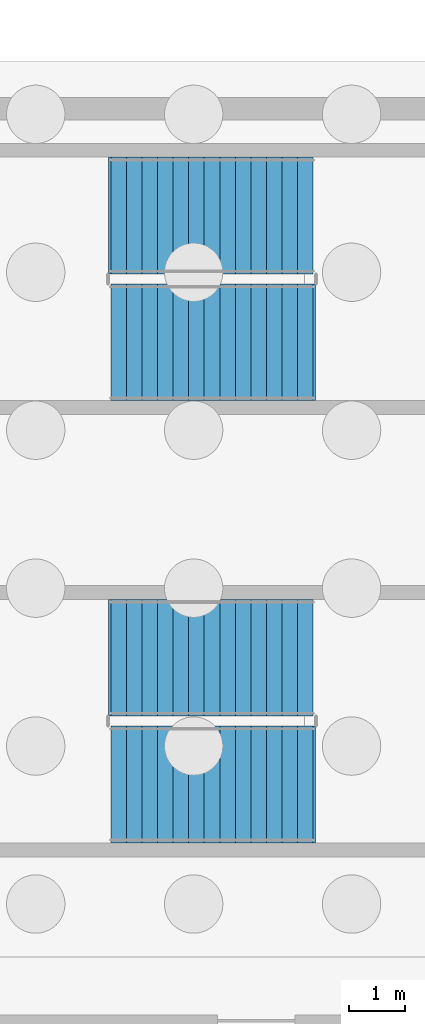
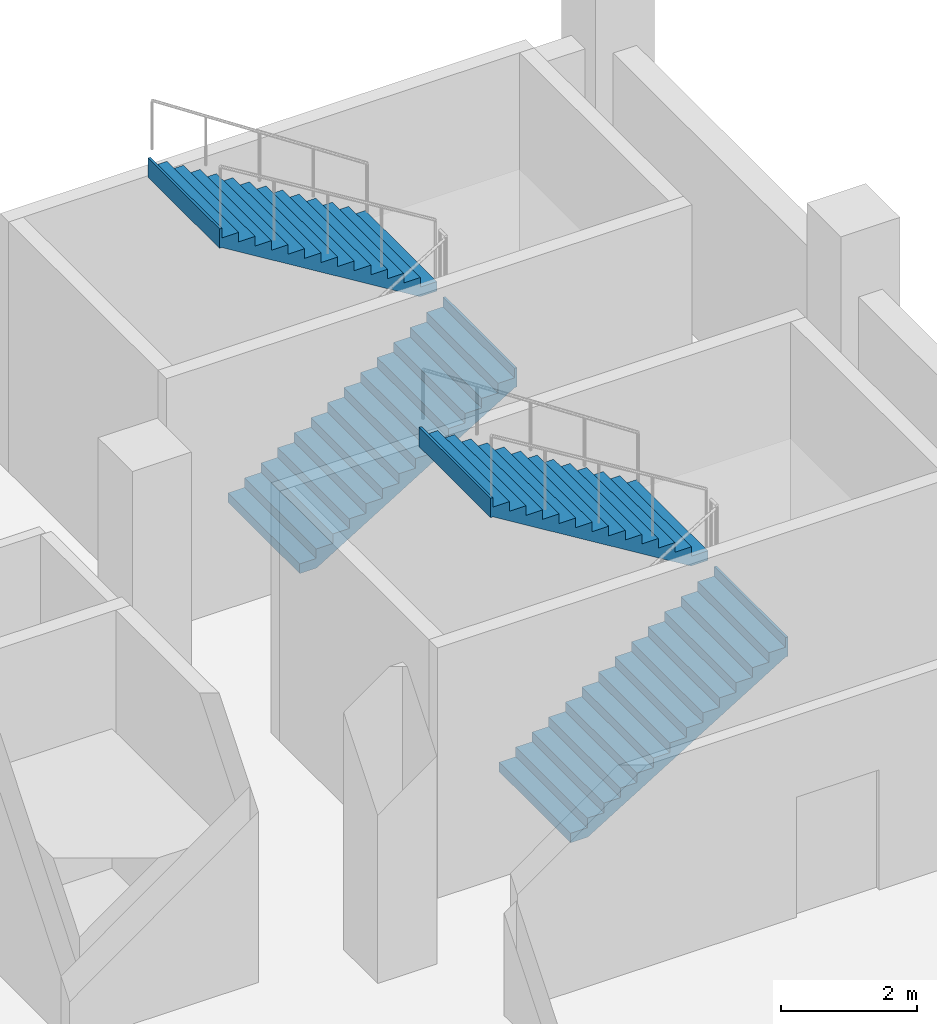
# One storey, part 7 of 10: 4 stair flights, 2 elements without a shape of their own.
"""IFC4 building model written with IfcOpenShell, lengths in metres."""

from ifc_helpers import new_model, si_unit, direction, frame, origin, place, context, subcontext, project, spatial, triangles, material, type_object, element, aggregate, save


model = new_model("IFC4")

# Units and contexts
model_context = context("Model", 3, precision=1e-05, world=origin(), true_north=direction((0.0, 1.0)))
body_context = subcontext(model_context, "Body", "Model", "MODEL_VIEW")
ifc_project = project(units=[si_unit("LENGTHUNIT", "METRE"), si_unit("AREAUNIT", "SQUARE_METRE"), si_unit("VOLUMEUNIT", "CUBIC_METRE"), si_unit("PLANEANGLEUNIT", "RADIAN"), si_unit("MASSUNIT", "GRAM", prefix="KILO")], contexts=[model_context])

# Site, building, storey
site_placement = place(None, origin())
site = spatial("IfcSite", under=ifc_project, at=site_placement, CompositionType="ELEMENT")
building_placement = place(site_placement, origin())
building = spatial("IfcBuilding", under=site, at=building_placement, Name="Cendralis Lancet Convention Centre", CompositionType="ELEMENT")
storey_placement = place(building_placement, frame((0.0, 0.0, -4.800048828125)))
storey = spatial("IfcBuildingStorey", under=building, at=storey_placement, Name="B1", CompositionType="ELEMENT", Elevation=-4.800048828125)

# Stair, stair flights
ifc_material = material(Name="Concrete G35 (C35/45)", Category="concrete")
stair_type = type_object("IfcStairType", Name="ARC-ST-CORE", PredefinedType="HALF_TURN_STAIR", material=ifc_material)
stair_1_placement = place(storey_placement, origin())
stair_1 = element("IfcStair", 1, at=stair_1_placement, inside=storey, type_object=stair_type, Name="B1 Protected Exit Stair ST-15", PredefinedType="HALF_TURN_STAIR")
stair_flight_type = type_object("IfcStairFlightType", Name="ARC-SF-CORE", PredefinedType="STRAIGHT", material=ifc_material)
stair_flight_1_placement = place(storey_placement, frame((200.550048828125, 23.85009765625, 0.0), z_axis=(0.0, 0.0, 1.0), x_axis=(1.0, 0.0, 0.0)))
stair_flight_1 = element("IfcStairFlight", 2, at=stair_flight_1_placement, type_object=stair_flight_type, Name="ST-15 flight 1", NumberOfRisers=14, NumberOfTreads=13, PredefinedType="STRAIGHT", RiserHeight=0.171428571, TreadLength=0.28, context=body_context, shape_type="Tessellation", body=[
    triangles([(0.0, 0.0, 0.085714), (0.0, 1.050049, 0.0), (0.0, -1.050049, 0.0), (0.0, -1.050049, 0.171429), (0.0, 1.050049, 0.171429), (0.14, 0.0, 0.171429), (0.28, -1.050049, 0.171429), (0.28, 1.050049, 0.171429), (0.14, 0.0, 0.0), (0.28, -1.050049, 0.0), (0.28, 1.050049, 0.0), (0.28, 0.0, 0.257143), (0.28, -1.050049, 0.342857), (0.28, 1.050049, 0.342857), (0.283543, 0.0, 0.342857), (0.287085, -1.050049, 0.342857), (0.287085, 1.050049, 0.342857), (0.283543, 0.0, 0.0), (0.287085, -1.050049, 0.0), (0.287085, 1.050049, 0.0), (0.423543, 0.0, 0.342857), (0.56, -1.050049, 0.342857), (0.56, 1.050049, 0.342857), (0.423543, 0.0, 0.083545), (0.56, -1.050049, 0.167091), (0.56, 1.050049, 0.167091), (0.56, 0.0, 0.428572), (0.56, -1.050049, 0.514286), (0.56, 1.050049, 0.514286), (0.7, 0.0, 0.514286), (0.84, -1.050049, 0.514286), (0.84, 1.050049, 0.514286), (0.7, 0.0, 0.252806), (0.84, -1.050049, 0.33852), (0.84, 1.050049, 0.33852), (0.84, 0.0, 0.6), (0.84, -1.050049, 0.685714), (0.84, 1.050049, 0.685714), (0.98, 0.0, 0.685714), (1.12, -1.050049, 0.685714), (1.12, 1.050049, 0.685714), (0.98, 0.0, 0.424234), (1.12, -1.050049, 0.509948), (1.12, 1.050049, 0.509948), (1.12, 0.0, 0.771429), (1.12, -1.050049, 0.857143), (1.12, 1.050049, 0.857143), (1.26, 0.0, 0.857143), (1.4, -1.050049, 0.857143), (1.4, 1.050049, 0.857143), (1.26, 0.0, 0.595662), (1.4, -1.050049, 0.681377), (1.4, 1.050049, 0.681377), (1.4, 0.0, 0.942857), (1.4, -1.050049, 1.028571), (1.4, 1.050049, 1.028571), (1.54, 0.0, 1.028571), (1.68, -1.050049, 1.028571), (1.68, 1.050049, 1.028571), (1.54, 0.0, 0.767091), (1.68, -1.050049, 0.852805), (1.68, 1.050049, 0.852805), (1.68, 0.0, 1.114286), (1.68, -1.050049, 1.2), (1.68, 1.050049, 1.2), (1.82, 0.0, 1.2), (1.96, -1.050049, 1.2), (1.96, 1.050049, 1.2), (1.82, 0.0, 0.938519), (1.96, -1.050049, 1.024234), (1.96, 1.050049, 1.024234), (1.96, 0.0, 1.285715), (1.96, -1.050049, 1.371429), (1.96, 1.050049, 1.371429), (2.1, 0.0, 1.371429), (2.24, -1.050049, 1.371429), (2.24, 1.050049, 1.371429), (2.1, 0.0, 1.109948), (2.24, -1.050049, 1.195662), (2.24, 1.050049, 1.195662), (2.24, 0.0, 1.457143), (2.24, -1.050049, 1.542857), (2.24, 1.050049, 1.542857), (2.38, 0.0, 1.542857), (2.52, -1.050049, 1.542857), (2.52, 1.050049, 1.542857), (2.38, 0.0, 1.281376), (2.52, -1.050049, 1.367091), (2.52, 1.050049, 1.367091), (2.52, 0.0, 1.628572), (2.52, -1.050049, 1.714286), (2.52, 1.050049, 1.714286), (2.66, 0.0, 1.714286), (2.8, -1.050049, 1.714286), (2.8, 1.050049, 1.714286), (2.66, 0.0, 1.452806), (2.8, -1.050049, 1.53852), (2.8, 1.050049, 1.53852), (2.8, 0.0, 1.8), (2.8, -1.050049, 1.885714), (2.8, 1.050049, 1.885714), (2.94, 0.0, 1.885714), (3.08, -1.050049, 1.885714), (3.08, 1.050049, 1.885714), (2.94, 0.0, 1.624234), (3.08, -1.050049, 1.709948), (3.08, 1.050049, 1.709948), (3.08, 0.0, 1.971429), (3.08, -1.050049, 2.057143), (3.08, 1.050049, 2.057143), (3.22, 0.0, 2.057143), (3.36, -1.050049, 2.057143), (3.36, 1.050049, 2.057143), (3.22, 0.0, 1.795663), (3.36, -1.050049, 1.881377), (3.36, 1.050049, 1.881377), (3.36, 0.0, 2.142857), (3.36, -1.050049, 2.228571), (3.36, 1.050049, 2.228571), (3.5, 0.0, 2.228571), (3.64, -1.050049, 2.228571), (3.64, 1.050049, 2.228571), (3.5, 0.0, 1.967091), (3.64, -1.050049, 2.052805), (3.64, 1.050049, 2.052805), (3.64, 0.0, 2.314285), (3.64, -1.050049, 2.4), (3.64, 1.050049, 2.4), (3.66, 0.0, 2.4), (3.68, -1.050049, 2.4), (3.68, 1.050049, 2.4), (3.66, 0.0, 2.052805), (3.68, -1.050049, 2.052805), (3.68, 1.050049, 2.052805), (3.68, 0.0, 2.226403)], [[2, 3, 1], [3, 4, 1], [4, 5, 1], [5, 2, 1], [4, 7, 6], [7, 8, 6], [8, 5, 6], [5, 4, 6], [10, 3, 9], [3, 2, 9], [2, 11, 9], [11, 10, 9], [3, 10, 7], [3, 7, 4], [2, 8, 11], [2, 5, 8], [8, 7, 12], [7, 13, 12], [13, 14, 12], [14, 8, 12], [13, 16, 15], [16, 17, 15], [17, 14, 15], [14, 13, 15], [19, 10, 18], [10, 11, 18], [11, 20, 18], [20, 19, 18], [10, 19, 16], [10, 16, 7], [7, 16, 13], [11, 17, 20], [11, 8, 17], [8, 14, 17], [16, 22, 21], [22, 23, 21], [23, 17, 21], [17, 16, 21], [25, 19, 24], [19, 20, 24], [20, 26, 24], [26, 25, 24], [19, 25, 22], [19, 22, 16], [20, 23, 26], [20, 17, 23], [23, 22, 27], [22, 28, 27], [28, 29, 27], [29, 23, 27], [28, 31, 30], [31, 32, 30], [32, 29, 30], [29, 28, 30], [34, 25, 33], [25, 26, 33], [26, 35, 33], [35, 34, 33], [25, 34, 31], [25, 31, 22], [22, 31, 28], [26, 32, 35], [26, 23, 32], [23, 29, 32], [32, 31, 36], [31, 37, 36], [37, 38, 36], [38, 32, 36], [37, 40, 39], [40, 41, 39], [41, 38, 39], [38, 37, 39], [43, 34, 42], [34, 35, 42], [35, 44, 42], [44, 43, 42], [34, 43, 40], [34, 40, 31], [31, 40, 37], [35, 41, 44], [35, 32, 41], [32, 38, 41], [41, 40, 45], [40, 46, 45], [46, 47, 45], [47, 41, 45], [46, 49, 48], [49, 50, 48], [50, 47, 48], [47, 46, 48], [52, 43, 51], [43, 44, 51], [44, 53, 51], [53, 52, 51], [43, 52, 49], [43, 49, 40], [40, 49, 46], [44, 50, 53], [44, 41, 50], [41, 47, 50], [50, 49, 54], [49, 55, 54], [55, 56, 54], [56, 50, 54], [55, 58, 57], [58, 59, 57], [59, 56, 57], [56, 55, 57], [61, 52, 60], [52, 53, 60], [53, 62, 60], [62, 61, 60], [52, 61, 58], [52, 58, 49], [49, 58, 55], [53, 59, 62], [53, 50, 59], [50, 56, 59], [59, 58, 63], [58, 64, 63], [64, 65, 63], [65, 59, 63], [64, 67, 66], [67, 68, 66], [68, 65, 66], [65, 64, 66], [70, 61, 69], [61, 62, 69], [62, 71, 69], [71, 70, 69], [61, 70, 67], [61, 67, 58], [58, 67, 64], [62, 68, 71], [62, 59, 68], [59, 65, 68], [68, 67, 72], [67, 73, 72], [73, 74, 72], [74, 68, 72], [73, 76, 75], [76, 77, 75], [77, 74, 75], [74, 73, 75], [79, 70, 78], [70, 71, 78], [71, 80, 78], [80, 79, 78], [70, 79, 76], [70, 76, 67], [67, 76, 73], [71, 77, 80], [71, 68, 77], [68, 74, 77], [77, 76, 81], [76, 82, 81], [82, 83, 81], [83, 77, 81], [82, 85, 84], [85, 86, 84], [86, 83, 84], [83, 82, 84], [88, 79, 87], [79, 80, 87], [80, 89, 87], [89, 88, 87], [79, 88, 85], [79, 85, 76], [76, 85, 82], [80, 86, 89], [80, 77, 86], [77, 83, 86], [86, 85, 90], [85, 91, 90], [91, 92, 90], [92, 86, 90], [91, 94, 93], [94, 95, 93], [95, 92, 93], [92, 91, 93], [97, 88, 96], [88, 89, 96], [89, 98, 96], [98, 97, 96], [88, 97, 94], [88, 94, 85], [85, 94, 91], [89, 95, 98], [89, 86, 95], [86, 92, 95], [95, 94, 99], [94, 100, 99], [100, 101, 99], [101, 95, 99], [100, 103, 102], [103, 104, 102], [104, 101, 102], [101, 100, 102], [106, 97, 105], [97, 98, 105], [98, 107, 105], [107, 106, 105], [97, 106, 103], [97, 103, 94], [94, 103, 100], [98, 104, 107], [98, 95, 104], [95, 101, 104], [104, 103, 108], [103, 109, 108], [109, 110, 108], [110, 104, 108], [109, 112, 111], [112, 113, 111], [113, 110, 111], [110, 109, 111], [115, 106, 114], [106, 107, 114], [107, 116, 114], [116, 115, 114], [106, 115, 112], [106, 112, 103], [103, 112, 109], [107, 113, 116], [107, 104, 113], [104, 110, 113], [113, 112, 117], [112, 118, 117], [118, 119, 117], [119, 113, 117], [118, 121, 120], [121, 122, 120], [122, 119, 120], [119, 118, 120], [124, 115, 123], [115, 116, 123], [116, 125, 123], [125, 124, 123], [115, 124, 121], [115, 121, 112], [112, 121, 118], [116, 122, 125], [116, 113, 122], [113, 119, 122], [122, 121, 126], [121, 127, 126], [127, 128, 126], [128, 122, 126], [127, 130, 129], [130, 131, 129], [131, 128, 129], [128, 127, 129], [133, 124, 132], [124, 125, 132], [125, 134, 132], [134, 133, 132], [124, 133, 130], [124, 130, 121], [121, 130, 127], [125, 131, 134], [125, 122, 131], [122, 128, 131], [133, 134, 135], [134, 131, 135], [131, 130, 135], [130, 133, 135]], closed=True),
])
stair_flight_2_placement = place(storey_placement, frame((204.18994140625, 26.1298828125, 2.400146484375), z_axis=(0.0, 0.0, 1.0), x_axis=(-1.0, 0.0, 0.0)))
stair_flight_2 = element("IfcStairFlight", 3, at=stair_flight_2_placement, type_object=stair_flight_type, Name="ST-15 flight 2", NumberOfRisers=14, NumberOfTreads=13, PredefinedType="STRAIGHT", RiserHeight=0.171428571, TreadLength=0.28, context=body_context, shape_type="Tessellation", body=[
    triangles([(0.0, 0.0, 0.085714), (0.0, 1.050049, 0.0), (0.0, -1.050049, 0.0), (0.0, -1.050049, 0.171429), (0.0, 1.050049, 0.171429), (0.14, 0.0, 0.171429), (0.28, -1.050049, 0.171429), (0.28, 1.050049, 0.171429), (0.14, 0.0, 0.0), (0.28, -1.050049, 0.0), (0.28, 1.050049, 0.0), (0.28, 0.0, 0.257143), (0.28, -1.050049, 0.342857), (0.28, 1.050049, 0.342857), (0.283543, 0.0, 0.342857), (0.287085, -1.050049, 0.342857), (0.287085, 1.050049, 0.342857), (0.283543, 0.0, 0.0), (0.287085, -1.050049, 0.0), (0.287085, 1.050049, 0.0), (0.423543, 0.0, 0.342857), (0.56, -1.050049, 0.342857), (0.56, 1.050049, 0.342857), (0.423543, 0.0, 0.083545), (0.56, -1.050049, 0.167091), (0.56, 1.050049, 0.167091), (0.56, 0.0, 0.428572), (0.56, -1.050049, 0.514286), (0.56, 1.050049, 0.514286), (0.7, 0.0, 0.514286), (0.84, -1.050049, 0.514286), (0.84, 1.050049, 0.514286), (0.7, 0.0, 0.252806), (0.84, -1.050049, 0.33852), (0.84, 1.050049, 0.33852), (0.84, 0.0, 0.6), (0.84, -1.050049, 0.685714), (0.84, 1.050049, 0.685714), (0.98, 0.0, 0.685714), (1.12, -1.050049, 0.685714), (1.12, 1.050049, 0.685714), (0.98, 0.0, 0.424234), (1.12, -1.050049, 0.509948), (1.12, 1.050049, 0.509948), (1.12, 0.0, 0.771429), (1.12, -1.050049, 0.857143), (1.12, 1.050049, 0.857143), (1.26, 0.0, 0.857143), (1.4, -1.050049, 0.857143), (1.4, 1.050049, 0.857143), (1.26, 0.0, 0.595662), (1.4, -1.050049, 0.681377), (1.4, 1.050049, 0.681377), (1.4, 0.0, 0.942857), (1.4, -1.050049, 1.028571), (1.4, 1.050049, 1.028571), (1.54, 0.0, 1.028571), (1.68, -1.050049, 1.028571), (1.68, 1.050049, 1.028571), (1.54, 0.0, 0.767091), (1.68, -1.050049, 0.852805), (1.68, 1.050049, 0.852805), (1.68, 0.0, 1.114286), (1.68, -1.050049, 1.2), (1.68, 1.050049, 1.2), (1.82, 0.0, 1.2), (1.96, -1.050049, 1.2), (1.96, 1.050049, 1.2), (1.82, 0.0, 0.938519), (1.96, -1.050049, 1.024234), (1.96, 1.050049, 1.024234), (1.96, 0.0, 1.285715), (1.96, -1.050049, 1.371429), (1.96, 1.050049, 1.371429), (2.1, 0.0, 1.371429), (2.24, -1.050049, 1.371429), (2.24, 1.050049, 1.371429), (2.1, 0.0, 1.109948), (2.24, -1.050049, 1.195662), (2.24, 1.050049, 1.195662), (2.24, 0.0, 1.457143), (2.24, -1.050049, 1.542857), (2.24, 1.050049, 1.542857), (2.38, 0.0, 1.542857), (2.52, -1.050049, 1.542857), (2.52, 1.050049, 1.542857), (2.38, 0.0, 1.281376), (2.52, -1.050049, 1.367091), (2.52, 1.050049, 1.367091), (2.52, 0.0, 1.628572), (2.52, -1.050049, 1.714286), (2.52, 1.050049, 1.714286), (2.66, 0.0, 1.714286), (2.8, -1.050049, 1.714286), (2.8, 1.050049, 1.714286), (2.66, 0.0, 1.452806), (2.8, -1.050049, 1.53852), (2.8, 1.050049, 1.53852), (2.8, 0.0, 1.8), (2.8, -1.050049, 1.885714), (2.8, 1.050049, 1.885714), (2.94, 0.0, 1.885714), (3.08, -1.050049, 1.885714), (3.08, 1.050049, 1.885714), (2.94, 0.0, 1.624234), (3.08, -1.050049, 1.709948), (3.08, 1.050049, 1.709948), (3.08, 0.0, 1.971429), (3.08, -1.050049, 2.057143), (3.08, 1.050049, 2.057143), (3.22, 0.0, 2.057143), (3.36, -1.050049, 2.057143), (3.36, 1.050049, 2.057143), (3.22, 0.0, 1.795663), (3.36, -1.050049, 1.881377), (3.36, 1.050049, 1.881377), (3.36, 0.0, 2.142857), (3.36, -1.050049, 2.228571), (3.36, 1.050049, 2.228571), (3.5, 0.0, 2.228571), (3.64, -1.050049, 2.228571), (3.64, 1.050049, 2.228571), (3.5, 0.0, 1.967091), (3.64, -1.050049, 2.052805), (3.64, 1.050049, 2.052805), (3.64, 0.0, 2.314285), (3.64, -1.050049, 2.4), (3.64, 1.050049, 2.4), (3.66, 0.0, 2.4), (3.68, -1.050049, 2.4), (3.68, 1.050049, 2.4), (3.66, 0.0, 2.052805), (3.68, -1.050049, 2.052805), (3.68, 1.050049, 2.052805), (3.68, 0.0, 2.226403)], [[2, 3, 1], [3, 4, 1], [4, 5, 1], [5, 2, 1], [4, 7, 6], [7, 8, 6], [8, 5, 6], [5, 4, 6], [10, 3, 9], [3, 2, 9], [2, 11, 9], [11, 10, 9], [3, 10, 7], [3, 7, 4], [2, 8, 11], [2, 5, 8], [8, 7, 12], [7, 13, 12], [13, 14, 12], [14, 8, 12], [13, 16, 15], [16, 17, 15], [17, 14, 15], [14, 13, 15], [19, 10, 18], [10, 11, 18], [11, 20, 18], [20, 19, 18], [10, 19, 16], [10, 16, 7], [7, 16, 13], [11, 17, 20], [11, 8, 17], [8, 14, 17], [16, 22, 21], [22, 23, 21], [23, 17, 21], [17, 16, 21], [25, 19, 24], [19, 20, 24], [20, 26, 24], [26, 25, 24], [19, 25, 22], [19, 22, 16], [20, 23, 26], [20, 17, 23], [23, 22, 27], [22, 28, 27], [28, 29, 27], [29, 23, 27], [28, 31, 30], [31, 32, 30], [32, 29, 30], [29, 28, 30], [34, 25, 33], [25, 26, 33], [26, 35, 33], [35, 34, 33], [25, 34, 31], [25, 31, 22], [22, 31, 28], [26, 32, 35], [26, 23, 32], [23, 29, 32], [32, 31, 36], [31, 37, 36], [37, 38, 36], [38, 32, 36], [37, 40, 39], [40, 41, 39], [41, 38, 39], [38, 37, 39], [43, 34, 42], [34, 35, 42], [35, 44, 42], [44, 43, 42], [34, 43, 40], [34, 40, 31], [31, 40, 37], [35, 41, 44], [35, 32, 41], [32, 38, 41], [41, 40, 45], [40, 46, 45], [46, 47, 45], [47, 41, 45], [46, 49, 48], [49, 50, 48], [50, 47, 48], [47, 46, 48], [52, 43, 51], [43, 44, 51], [44, 53, 51], [53, 52, 51], [43, 52, 49], [43, 49, 40], [40, 49, 46], [44, 50, 53], [44, 41, 50], [41, 47, 50], [50, 49, 54], [49, 55, 54], [55, 56, 54], [56, 50, 54], [55, 58, 57], [58, 59, 57], [59, 56, 57], [56, 55, 57], [61, 52, 60], [52, 53, 60], [53, 62, 60], [62, 61, 60], [52, 61, 58], [52, 58, 49], [49, 58, 55], [53, 59, 62], [53, 50, 59], [50, 56, 59], [59, 58, 63], [58, 64, 63], [64, 65, 63], [65, 59, 63], [64, 67, 66], [67, 68, 66], [68, 65, 66], [65, 64, 66], [70, 61, 69], [61, 62, 69], [62, 71, 69], [71, 70, 69], [61, 70, 67], [61, 67, 58], [58, 67, 64], [62, 68, 71], [62, 59, 68], [59, 65, 68], [68, 67, 72], [67, 73, 72], [73, 74, 72], [74, 68, 72], [73, 76, 75], [76, 77, 75], [77, 74, 75], [74, 73, 75], [79, 70, 78], [70, 71, 78], [71, 80, 78], [80, 79, 78], [70, 79, 76], [70, 76, 67], [67, 76, 73], [71, 77, 80], [71, 68, 77], [68, 74, 77], [77, 76, 81], [76, 82, 81], [82, 83, 81], [83, 77, 81], [82, 85, 84], [85, 86, 84], [86, 83, 84], [83, 82, 84], [88, 79, 87], [79, 80, 87], [80, 89, 87], [89, 88, 87], [79, 88, 85], [79, 85, 76], [76, 85, 82], [80, 86, 89], [80, 77, 86], [77, 83, 86], [86, 85, 90], [85, 91, 90], [91, 92, 90], [92, 86, 90], [91, 94, 93], [94, 95, 93], [95, 92, 93], [92, 91, 93], [97, 88, 96], [88, 89, 96], [89, 98, 96], [98, 97, 96], [88, 97, 94], [88, 94, 85], [85, 94, 91], [89, 95, 98], [89, 86, 95], [86, 92, 95], [95, 94, 99], [94, 100, 99], [100, 101, 99], [101, 95, 99], [100, 103, 102], [103, 104, 102], [104, 101, 102], [101, 100, 102], [106, 97, 105], [97, 98, 105], [98, 107, 105], [107, 106, 105], [97, 106, 103], [97, 103, 94], [94, 103, 100], [98, 104, 107], [98, 95, 104], [95, 101, 104], [104, 103, 108], [103, 109, 108], [109, 110, 108], [110, 104, 108], [109, 112, 111], [112, 113, 111], [113, 110, 111], [110, 109, 111], [115, 106, 114], [106, 107, 114], [107, 116, 114], [116, 115, 114], [106, 115, 112], [106, 112, 103], [103, 112, 109], [107, 113, 116], [107, 104, 113], [104, 110, 113], [113, 112, 117], [112, 118, 117], [118, 119, 117], [119, 113, 117], [118, 121, 120], [121, 122, 120], [122, 119, 120], [119, 118, 120], [124, 115, 123], [115, 116, 123], [116, 125, 123], [125, 124, 123], [115, 124, 121], [115, 121, 112], [112, 121, 118], [116, 122, 125], [116, 113, 122], [113, 119, 122], [122, 121, 126], [121, 127, 126], [127, 128, 126], [128, 122, 126], [127, 130, 129], [130, 131, 129], [131, 128, 129], [128, 127, 129], [133, 124, 132], [124, 125, 132], [125, 134, 132], [134, 133, 132], [124, 133, 130], [124, 130, 121], [121, 130, 127], [125, 131, 134], [125, 122, 131], [122, 128, 131], [133, 134, 135], [134, 131, 135], [131, 130, 135], [130, 133, 135]], closed=True),
])
aggregate(stair_1, [stair_flight_1, stair_flight_2])

stair_2_placement = place(storey_placement, origin())
stair_2 = element("IfcStair", 4, at=stair_2_placement, inside=storey, type_object=stair_type, Name="B1 Protected Exit Stair ST-16", PredefinedType="HALF_TURN_STAIR")
stair_flight_3_placement = place(storey_placement, frame((200.550048828125, 31.800048828125, 0.0), z_axis=(0.0, 0.0, 1.0), x_axis=(1.0, 0.0, 0.0)))
stair_flight_3 = element("IfcStairFlight", 5, at=stair_flight_3_placement, type_object=stair_flight_type, Name="ST-16 flight 1", NumberOfRisers=14, NumberOfTreads=13, PredefinedType="STRAIGHT", RiserHeight=0.171428571, TreadLength=0.28, context=body_context, shape_type="Tessellation", body=[
    triangles([(0.0, 0.0, 0.085714), (0.0, 1.050049, 0.0), (0.0, -1.050049, 0.0), (0.0, -1.050049, 0.171429), (0.0, 1.050049, 0.171429), (0.14, 0.0, 0.171429), (0.28, -1.050049, 0.171429), (0.28, 1.050049, 0.171429), (0.14, 0.0, 0.0), (0.28, -1.050049, 0.0), (0.28, 1.050049, 0.0), (0.28, 0.0, 0.257143), (0.28, -1.050049, 0.342857), (0.28, 1.050049, 0.342857), (0.283543, 0.0, 0.342857), (0.287085, -1.050049, 0.342857), (0.287085, 1.050049, 0.342857), (0.283543, 0.0, 0.0), (0.287085, -1.050049, 0.0), (0.287085, 1.050049, 0.0), (0.423543, 0.0, 0.342857), (0.56, -1.050049, 0.342857), (0.56, 1.050049, 0.342857), (0.423543, 0.0, 0.083545), (0.56, -1.050049, 0.167091), (0.56, 1.050049, 0.167091), (0.56, 0.0, 0.428572), (0.56, -1.050049, 0.514286), (0.56, 1.050049, 0.514286), (0.7, 0.0, 0.514286), (0.84, -1.050049, 0.514286), (0.84, 1.050049, 0.514286), (0.7, 0.0, 0.252806), (0.84, -1.050049, 0.33852), (0.84, 1.050049, 0.33852), (0.84, 0.0, 0.6), (0.84, -1.050049, 0.685714), (0.84, 1.050049, 0.685714), (0.98, 0.0, 0.685714), (1.12, -1.050049, 0.685714), (1.12, 1.050049, 0.685714), (0.98, 0.0, 0.424234), (1.12, -1.050049, 0.509948), (1.12, 1.050049, 0.509948), (1.12, 0.0, 0.771429), (1.12, -1.050049, 0.857143), (1.12, 1.050049, 0.857143), (1.26, 0.0, 0.857143), (1.4, -1.050049, 0.857143), (1.4, 1.050049, 0.857143), (1.26, 0.0, 0.595662), (1.4, -1.050049, 0.681377), (1.4, 1.050049, 0.681377), (1.4, 0.0, 0.942857), (1.4, -1.050049, 1.028571), (1.4, 1.050049, 1.028571), (1.54, 0.0, 1.028571), (1.68, -1.050049, 1.028571), (1.68, 1.050049, 1.028571), (1.54, 0.0, 0.767091), (1.68, -1.050049, 0.852805), (1.68, 1.050049, 0.852805), (1.68, 0.0, 1.114286), (1.68, -1.050049, 1.2), (1.68, 1.050049, 1.2), (1.82, 0.0, 1.2), (1.96, -1.050049, 1.2), (1.96, 1.050049, 1.2), (1.82, 0.0, 0.938519), (1.96, -1.050049, 1.024234), (1.96, 1.050049, 1.024234), (1.96, 0.0, 1.285715), (1.96, -1.050049, 1.371429), (1.96, 1.050049, 1.371429), (2.1, 0.0, 1.371429), (2.24, -1.050049, 1.371429), (2.24, 1.050049, 1.371429), (2.1, 0.0, 1.109948), (2.24, -1.050049, 1.195662), (2.24, 1.050049, 1.195662), (2.24, 0.0, 1.457143), (2.24, -1.050049, 1.542857), (2.24, 1.050049, 1.542857), (2.38, 0.0, 1.542857), (2.52, -1.050049, 1.542857), (2.52, 1.050049, 1.542857), (2.38, 0.0, 1.281376), (2.52, -1.050049, 1.367091), (2.52, 1.050049, 1.367091), (2.52, 0.0, 1.628572), (2.52, -1.050049, 1.714286), (2.52, 1.050049, 1.714286), (2.66, 0.0, 1.714286), (2.8, -1.050049, 1.714286), (2.8, 1.050049, 1.714286), (2.66, 0.0, 1.452806), (2.8, -1.050049, 1.53852), (2.8, 1.050049, 1.53852), (2.8, 0.0, 1.8), (2.8, -1.050049, 1.885714), (2.8, 1.050049, 1.885714), (2.94, 0.0, 1.885714), (3.08, -1.050049, 1.885714), (3.08, 1.050049, 1.885714), (2.94, 0.0, 1.624234), (3.08, -1.050049, 1.709948), (3.08, 1.050049, 1.709948), (3.08, 0.0, 1.971429), (3.08, -1.050049, 2.057143), (3.08, 1.050049, 2.057143), (3.22, 0.0, 2.057143), (3.36, -1.050049, 2.057143), (3.36, 1.050049, 2.057143), (3.22, 0.0, 1.795663), (3.36, -1.050049, 1.881377), (3.36, 1.050049, 1.881377), (3.36, 0.0, 2.142857), (3.36, -1.050049, 2.228571), (3.36, 1.050049, 2.228571), (3.5, 0.0, 2.228571), (3.64, -1.050049, 2.228571), (3.64, 1.050049, 2.228571), (3.5, 0.0, 1.967091), (3.64, -1.050049, 2.052805), (3.64, 1.050049, 2.052805), (3.64, 0.0, 2.314285), (3.64, -1.050049, 2.4), (3.64, 1.050049, 2.4), (3.66, 0.0, 2.4), (3.68, -1.050049, 2.4), (3.68, 1.050049, 2.4), (3.66, 0.0, 2.052805), (3.68, -1.050049, 2.052805), (3.68, 1.050049, 2.052805), (3.68, 0.0, 2.226403)], [[2, 3, 1], [3, 4, 1], [4, 5, 1], [5, 2, 1], [4, 7, 6], [7, 8, 6], [8, 5, 6], [5, 4, 6], [10, 3, 9], [3, 2, 9], [2, 11, 9], [11, 10, 9], [3, 10, 7], [3, 7, 4], [2, 8, 11], [2, 5, 8], [8, 7, 12], [7, 13, 12], [13, 14, 12], [14, 8, 12], [13, 16, 15], [16, 17, 15], [17, 14, 15], [14, 13, 15], [19, 10, 18], [10, 11, 18], [11, 20, 18], [20, 19, 18], [10, 19, 16], [10, 16, 7], [7, 16, 13], [11, 17, 20], [11, 8, 17], [8, 14, 17], [16, 22, 21], [22, 23, 21], [23, 17, 21], [17, 16, 21], [25, 19, 24], [19, 20, 24], [20, 26, 24], [26, 25, 24], [19, 25, 22], [19, 22, 16], [20, 23, 26], [20, 17, 23], [23, 22, 27], [22, 28, 27], [28, 29, 27], [29, 23, 27], [28, 31, 30], [31, 32, 30], [32, 29, 30], [29, 28, 30], [34, 25, 33], [25, 26, 33], [26, 35, 33], [35, 34, 33], [25, 34, 31], [25, 31, 22], [22, 31, 28], [26, 32, 35], [26, 23, 32], [23, 29, 32], [32, 31, 36], [31, 37, 36], [37, 38, 36], [38, 32, 36], [37, 40, 39], [40, 41, 39], [41, 38, 39], [38, 37, 39], [43, 34, 42], [34, 35, 42], [35, 44, 42], [44, 43, 42], [34, 43, 40], [34, 40, 31], [31, 40, 37], [35, 41, 44], [35, 32, 41], [32, 38, 41], [41, 40, 45], [40, 46, 45], [46, 47, 45], [47, 41, 45], [46, 49, 48], [49, 50, 48], [50, 47, 48], [47, 46, 48], [52, 43, 51], [43, 44, 51], [44, 53, 51], [53, 52, 51], [43, 52, 49], [43, 49, 40], [40, 49, 46], [44, 50, 53], [44, 41, 50], [41, 47, 50], [50, 49, 54], [49, 55, 54], [55, 56, 54], [56, 50, 54], [55, 58, 57], [58, 59, 57], [59, 56, 57], [56, 55, 57], [61, 52, 60], [52, 53, 60], [53, 62, 60], [62, 61, 60], [52, 61, 58], [52, 58, 49], [49, 58, 55], [53, 59, 62], [53, 50, 59], [50, 56, 59], [59, 58, 63], [58, 64, 63], [64, 65, 63], [65, 59, 63], [64, 67, 66], [67, 68, 66], [68, 65, 66], [65, 64, 66], [70, 61, 69], [61, 62, 69], [62, 71, 69], [71, 70, 69], [61, 70, 67], [61, 67, 58], [58, 67, 64], [62, 68, 71], [62, 59, 68], [59, 65, 68], [68, 67, 72], [67, 73, 72], [73, 74, 72], [74, 68, 72], [73, 76, 75], [76, 77, 75], [77, 74, 75], [74, 73, 75], [79, 70, 78], [70, 71, 78], [71, 80, 78], [80, 79, 78], [70, 79, 76], [70, 76, 67], [67, 76, 73], [71, 77, 80], [71, 68, 77], [68, 74, 77], [77, 76, 81], [76, 82, 81], [82, 83, 81], [83, 77, 81], [82, 85, 84], [85, 86, 84], [86, 83, 84], [83, 82, 84], [88, 79, 87], [79, 80, 87], [80, 89, 87], [89, 88, 87], [79, 88, 85], [79, 85, 76], [76, 85, 82], [80, 86, 89], [80, 77, 86], [77, 83, 86], [86, 85, 90], [85, 91, 90], [91, 92, 90], [92, 86, 90], [91, 94, 93], [94, 95, 93], [95, 92, 93], [92, 91, 93], [97, 88, 96], [88, 89, 96], [89, 98, 96], [98, 97, 96], [88, 97, 94], [88, 94, 85], [85, 94, 91], [89, 95, 98], [89, 86, 95], [86, 92, 95], [95, 94, 99], [94, 100, 99], [100, 101, 99], [101, 95, 99], [100, 103, 102], [103, 104, 102], [104, 101, 102], [101, 100, 102], [106, 97, 105], [97, 98, 105], [98, 107, 105], [107, 106, 105], [97, 106, 103], [97, 103, 94], [94, 103, 100], [98, 104, 107], [98, 95, 104], [95, 101, 104], [104, 103, 108], [103, 109, 108], [109, 110, 108], [110, 104, 108], [109, 112, 111], [112, 113, 111], [113, 110, 111], [110, 109, 111], [115, 106, 114], [106, 107, 114], [107, 116, 114], [116, 115, 114], [106, 115, 112], [106, 112, 103], [103, 112, 109], [107, 113, 116], [107, 104, 113], [104, 110, 113], [113, 112, 117], [112, 118, 117], [118, 119, 117], [119, 113, 117], [118, 121, 120], [121, 122, 120], [122, 119, 120], [119, 118, 120], [124, 115, 123], [115, 116, 123], [116, 125, 123], [125, 124, 123], [115, 124, 121], [115, 121, 112], [112, 121, 118], [116, 122, 125], [116, 113, 122], [113, 119, 122], [122, 121, 126], [121, 127, 126], [127, 128, 126], [128, 122, 126], [127, 130, 129], [130, 131, 129], [131, 128, 129], [128, 127, 129], [133, 124, 132], [124, 125, 132], [125, 134, 132], [134, 133, 132], [124, 133, 130], [124, 130, 121], [121, 130, 127], [125, 131, 134], [125, 122, 131], [122, 128, 131], [133, 134, 135], [134, 131, 135], [131, 130, 135], [130, 133, 135]], closed=True),
])
stair_flight_4_placement = place(storey_placement, frame((204.18994140625, 34.080078125, 2.400146484375), z_axis=(0.0, 0.0, 1.0), x_axis=(-1.0, 0.0, 0.0)))
stair_flight_4 = element("IfcStairFlight", 6, at=stair_flight_4_placement, type_object=stair_flight_type, Name="ST-16 flight 2", NumberOfRisers=14, NumberOfTreads=13, PredefinedType="STRAIGHT", RiserHeight=0.171428571, TreadLength=0.28, context=body_context, shape_type="Tessellation", body=[
    triangles([(0.0, 0.0, 0.085714), (0.0, 1.050049, 0.0), (0.0, -1.050049, 0.0), (0.0, -1.050049, 0.171429), (0.0, 1.050049, 0.171429), (0.14, 0.0, 0.171429), (0.28, -1.050049, 0.171429), (0.28, 1.050049, 0.171429), (0.14, 0.0, 0.0), (0.28, -1.050049, 0.0), (0.28, 1.050049, 0.0), (0.28, 0.0, 0.257143), (0.28, -1.050049, 0.342857), (0.28, 1.050049, 0.342857), (0.283543, 0.0, 0.342857), (0.287085, -1.050049, 0.342857), (0.287085, 1.050049, 0.342857), (0.283543, 0.0, 0.0), (0.287085, -1.050049, 0.0), (0.287085, 1.050049, 0.0), (0.423543, 0.0, 0.342857), (0.56, -1.050049, 0.342857), (0.56, 1.050049, 0.342857), (0.423543, 0.0, 0.083545), (0.56, -1.050049, 0.167091), (0.56, 1.050049, 0.167091), (0.56, 0.0, 0.428572), (0.56, -1.050049, 0.514286), (0.56, 1.050049, 0.514286), (0.7, 0.0, 0.514286), (0.84, -1.050049, 0.514286), (0.84, 1.050049, 0.514286), (0.7, 0.0, 0.252806), (0.84, -1.050049, 0.33852), (0.84, 1.050049, 0.33852), (0.84, 0.0, 0.6), (0.84, -1.050049, 0.685714), (0.84, 1.050049, 0.685714), (0.98, 0.0, 0.685714), (1.12, -1.050049, 0.685714), (1.12, 1.050049, 0.685714), (0.98, 0.0, 0.424234), (1.12, -1.050049, 0.509948), (1.12, 1.050049, 0.509948), (1.12, 0.0, 0.771429), (1.12, -1.050049, 0.857143), (1.12, 1.050049, 0.857143), (1.26, 0.0, 0.857143), (1.4, -1.050049, 0.857143), (1.4, 1.050049, 0.857143), (1.26, 0.0, 0.595662), (1.4, -1.050049, 0.681377), (1.4, 1.050049, 0.681377), (1.4, 0.0, 0.942857), (1.4, -1.050049, 1.028571), (1.4, 1.050049, 1.028571), (1.54, 0.0, 1.028571), (1.68, -1.050049, 1.028571), (1.68, 1.050049, 1.028571), (1.54, 0.0, 0.767091), (1.68, -1.050049, 0.852805), (1.68, 1.050049, 0.852805), (1.68, 0.0, 1.114286), (1.68, -1.050049, 1.2), (1.68, 1.050049, 1.2), (1.82, 0.0, 1.2), (1.96, -1.050049, 1.2), (1.96, 1.050049, 1.2), (1.82, 0.0, 0.938519), (1.96, -1.050049, 1.024234), (1.96, 1.050049, 1.024234), (1.96, 0.0, 1.285715), (1.96, -1.050049, 1.371429), (1.96, 1.050049, 1.371429), (2.1, 0.0, 1.371429), (2.24, -1.050049, 1.371429), (2.24, 1.050049, 1.371429), (2.1, 0.0, 1.109948), (2.24, -1.050049, 1.195662), (2.24, 1.050049, 1.195662), (2.24, 0.0, 1.457143), (2.24, -1.050049, 1.542857), (2.24, 1.050049, 1.542857), (2.38, 0.0, 1.542857), (2.52, -1.050049, 1.542857), (2.52, 1.050049, 1.542857), (2.38, 0.0, 1.281376), (2.52, -1.050049, 1.367091), (2.52, 1.050049, 1.367091), (2.52, 0.0, 1.628572), (2.52, -1.050049, 1.714286), (2.52, 1.050049, 1.714286), (2.66, 0.0, 1.714286), (2.8, -1.050049, 1.714286), (2.8, 1.050049, 1.714286), (2.66, 0.0, 1.452806), (2.8, -1.050049, 1.53852), (2.8, 1.050049, 1.53852), (2.8, 0.0, 1.8), (2.8, -1.050049, 1.885714), (2.8, 1.050049, 1.885714), (2.94, 0.0, 1.885714), (3.08, -1.050049, 1.885714), (3.08, 1.050049, 1.885714), (2.94, 0.0, 1.624234), (3.08, -1.050049, 1.709948), (3.08, 1.050049, 1.709948), (3.08, 0.0, 1.971429), (3.08, -1.050049, 2.057143), (3.08, 1.050049, 2.057143), (3.22, 0.0, 2.057143), (3.36, -1.050049, 2.057143), (3.36, 1.050049, 2.057143), (3.22, 0.0, 1.795663), (3.36, -1.050049, 1.881377), (3.36, 1.050049, 1.881377), (3.36, 0.0, 2.142857), (3.36, -1.050049, 2.228571), (3.36, 1.050049, 2.228571), (3.5, 0.0, 2.228571), (3.64, -1.050049, 2.228571), (3.64, 1.050049, 2.228571), (3.5, 0.0, 1.967091), (3.64, -1.050049, 2.052805), (3.64, 1.050049, 2.052805), (3.64, 0.0, 2.314285), (3.64, -1.050049, 2.4), (3.64, 1.050049, 2.4), (3.66, 0.0, 2.4), (3.68, -1.050049, 2.4), (3.68, 1.050049, 2.4), (3.66, 0.0, 2.052805), (3.68, -1.050049, 2.052805), (3.68, 1.050049, 2.052805), (3.68, 0.0, 2.226403)], [[2, 3, 1], [3, 4, 1], [4, 5, 1], [5, 2, 1], [4, 7, 6], [7, 8, 6], [8, 5, 6], [5, 4, 6], [10, 3, 9], [3, 2, 9], [2, 11, 9], [11, 10, 9], [3, 10, 7], [3, 7, 4], [2, 8, 11], [2, 5, 8], [8, 7, 12], [7, 13, 12], [13, 14, 12], [14, 8, 12], [13, 16, 15], [16, 17, 15], [17, 14, 15], [14, 13, 15], [19, 10, 18], [10, 11, 18], [11, 20, 18], [20, 19, 18], [10, 19, 16], [10, 16, 7], [7, 16, 13], [11, 17, 20], [11, 8, 17], [8, 14, 17], [16, 22, 21], [22, 23, 21], [23, 17, 21], [17, 16, 21], [25, 19, 24], [19, 20, 24], [20, 26, 24], [26, 25, 24], [19, 25, 22], [19, 22, 16], [20, 23, 26], [20, 17, 23], [23, 22, 27], [22, 28, 27], [28, 29, 27], [29, 23, 27], [28, 31, 30], [31, 32, 30], [32, 29, 30], [29, 28, 30], [34, 25, 33], [25, 26, 33], [26, 35, 33], [35, 34, 33], [25, 34, 31], [25, 31, 22], [22, 31, 28], [26, 32, 35], [26, 23, 32], [23, 29, 32], [32, 31, 36], [31, 37, 36], [37, 38, 36], [38, 32, 36], [37, 40, 39], [40, 41, 39], [41, 38, 39], [38, 37, 39], [43, 34, 42], [34, 35, 42], [35, 44, 42], [44, 43, 42], [34, 43, 40], [34, 40, 31], [31, 40, 37], [35, 41, 44], [35, 32, 41], [32, 38, 41], [41, 40, 45], [40, 46, 45], [46, 47, 45], [47, 41, 45], [46, 49, 48], [49, 50, 48], [50, 47, 48], [47, 46, 48], [52, 43, 51], [43, 44, 51], [44, 53, 51], [53, 52, 51], [43, 52, 49], [43, 49, 40], [40, 49, 46], [44, 50, 53], [44, 41, 50], [41, 47, 50], [50, 49, 54], [49, 55, 54], [55, 56, 54], [56, 50, 54], [55, 58, 57], [58, 59, 57], [59, 56, 57], [56, 55, 57], [61, 52, 60], [52, 53, 60], [53, 62, 60], [62, 61, 60], [52, 61, 58], [52, 58, 49], [49, 58, 55], [53, 59, 62], [53, 50, 59], [50, 56, 59], [59, 58, 63], [58, 64, 63], [64, 65, 63], [65, 59, 63], [64, 67, 66], [67, 68, 66], [68, 65, 66], [65, 64, 66], [70, 61, 69], [61, 62, 69], [62, 71, 69], [71, 70, 69], [61, 70, 67], [61, 67, 58], [58, 67, 64], [62, 68, 71], [62, 59, 68], [59, 65, 68], [68, 67, 72], [67, 73, 72], [73, 74, 72], [74, 68, 72], [73, 76, 75], [76, 77, 75], [77, 74, 75], [74, 73, 75], [79, 70, 78], [70, 71, 78], [71, 80, 78], [80, 79, 78], [70, 79, 76], [70, 76, 67], [67, 76, 73], [71, 77, 80], [71, 68, 77], [68, 74, 77], [77, 76, 81], [76, 82, 81], [82, 83, 81], [83, 77, 81], [82, 85, 84], [85, 86, 84], [86, 83, 84], [83, 82, 84], [88, 79, 87], [79, 80, 87], [80, 89, 87], [89, 88, 87], [79, 88, 85], [79, 85, 76], [76, 85, 82], [80, 86, 89], [80, 77, 86], [77, 83, 86], [86, 85, 90], [85, 91, 90], [91, 92, 90], [92, 86, 90], [91, 94, 93], [94, 95, 93], [95, 92, 93], [92, 91, 93], [97, 88, 96], [88, 89, 96], [89, 98, 96], [98, 97, 96], [88, 97, 94], [88, 94, 85], [85, 94, 91], [89, 95, 98], [89, 86, 95], [86, 92, 95], [95, 94, 99], [94, 100, 99], [100, 101, 99], [101, 95, 99], [100, 103, 102], [103, 104, 102], [104, 101, 102], [101, 100, 102], [106, 97, 105], [97, 98, 105], [98, 107, 105], [107, 106, 105], [97, 106, 103], [97, 103, 94], [94, 103, 100], [98, 104, 107], [98, 95, 104], [95, 101, 104], [104, 103, 108], [103, 109, 108], [109, 110, 108], [110, 104, 108], [109, 112, 111], [112, 113, 111], [113, 110, 111], [110, 109, 111], [115, 106, 114], [106, 107, 114], [107, 116, 114], [116, 115, 114], [106, 115, 112], [106, 112, 103], [103, 112, 109], [107, 113, 116], [107, 104, 113], [104, 110, 113], [113, 112, 117], [112, 118, 117], [118, 119, 117], [119, 113, 117], [118, 121, 120], [121, 122, 120], [122, 119, 120], [119, 118, 120], [124, 115, 123], [115, 116, 123], [116, 125, 123], [125, 124, 123], [115, 124, 121], [115, 121, 112], [112, 121, 118], [116, 122, 125], [116, 113, 122], [113, 119, 122], [122, 121, 126], [121, 127, 126], [127, 128, 126], [128, 122, 126], [127, 130, 129], [130, 131, 129], [131, 128, 129], [128, 127, 129], [133, 124, 132], [124, 125, 132], [125, 134, 132], [134, 133, 132], [124, 133, 130], [124, 130, 121], [121, 130, 127], [125, 131, 134], [125, 122, 131], [122, 128, 131], [133, 134, 135], [134, 131, 135], [131, 130, 135], [130, 133, 135]], closed=True),
])
aggregate(stair_2, [stair_flight_3, stair_flight_4])

save(model, "model.ifc")
